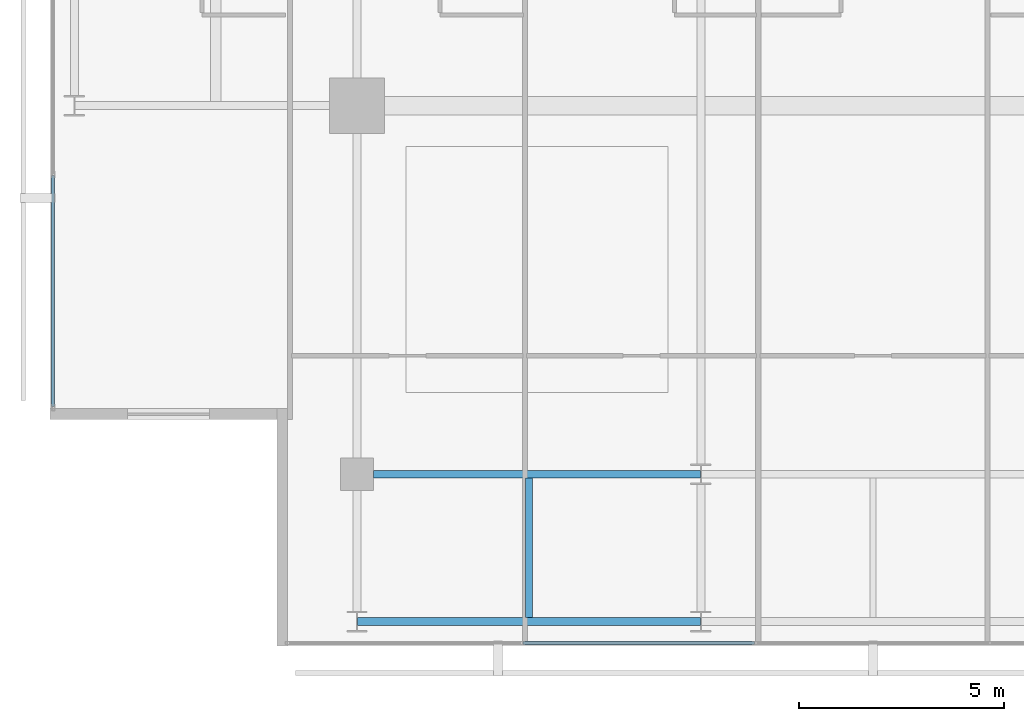
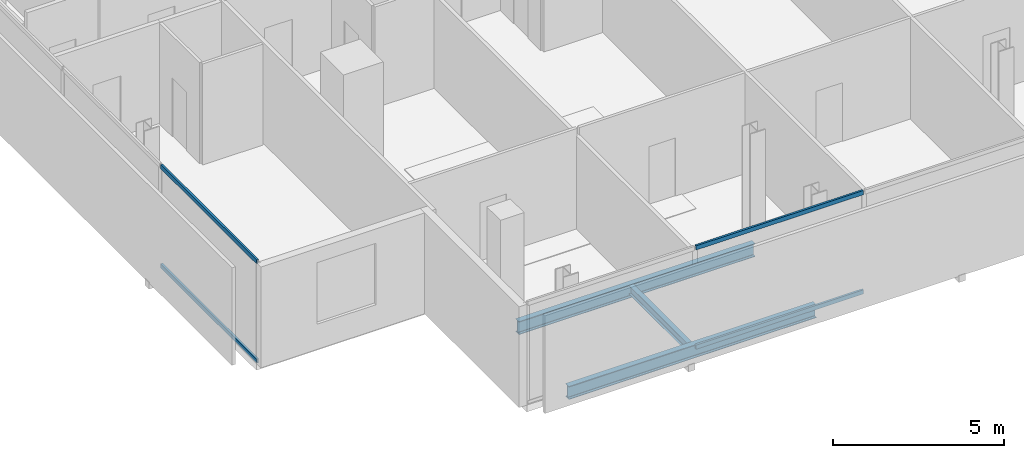
# One storey, part 3 of 24: 4 members, 3 beams, 2 elements without a shape of their own.
"""IFC4 building model written with IfcOpenShell, lengths in metres."""

from ifc_helpers import new_model, si_unit, direction, frame, origin, origin_2d, place, context, subcontext, project, spatial, hollow_rectangle, i_section, extrude, material, layer, layer_set, material_profile, profile_set, type_object, element, aggregate, save


model = new_model("IFC4")

# Units and contexts
model_context = context("Model", 3, precision=1e-05, world=origin(), true_north=direction((0.0, 1.0)))
body_context = subcontext(model_context, "Body", "Model", "MODEL_VIEW")
ifc_project = project(units=[si_unit("LENGTHUNIT", "METRE"), si_unit("AREAUNIT", "SQUARE_METRE"), si_unit("VOLUMEUNIT", "CUBIC_METRE"), si_unit("PLANEANGLEUNIT", "RADIAN"), si_unit("MASSUNIT", "GRAM", prefix="KILO")], contexts=[model_context])

# Site, building, storey
site_placement = place(None, origin())
site = spatial("IfcSite", under=ifc_project, at=site_placement, CompositionType="ELEMENT")
building_placement = place(site_placement, origin())
building = spatial("IfcBuilding", under=site, at=building_placement, Name="Maruvema Waterfront Hotel and Observation Tower", CompositionType="ELEMENT")
storey_placement = place(building_placement, frame((0.0, 0.0, 333.550048828125)))
storey = spatial("IfcBuildingStorey", under=building, at=storey_placement, Name="L82", CompositionType="ELEMENT", Elevation=333.550048828125)

# Curtain wall, members
ifc_material_1 = material(Name="Anodised bronze aluminium and solar-control low-E IGU", Category="aluminium")
ifc_layer = layer(ifc_material_1, 0.159912109375, Name="Zone 4 Sky Residence Inner Curtain Wall System CW-05")
ifc_layer_set = layer_set([ifc_layer], Name="Anodised bronze aluminium and solar-control low-E IGU")
curtain_wall_type = type_object("IfcCurtainWallType", Name="Zone 4 Sky Residence Inner Curtain Wall System CW-05", PredefinedType="USERDEFINED", material=ifc_layer_set)
curtain_wall_1_placement = place(storey_placement, origin())
curtain_wall_1 = element("IfcCurtainWall", 1, at=curtain_wall_1_placement, inside=storey, type_object=curtain_wall_type, Name="L82 Curtain Wall CW-L82-S", ObjectType="UNITISED CURTAIN WALL", PredefinedType="USERDEFINED")
ifc_material_2 = material(Name="Anodised architectural bronze aluminium", Category="aluminium")
ifc_material_profile_1 = material_profile(ifc_material_2, hollow_rectangle(XDim=0.070068359375, YDim=0.14990234375, WallThickness=0.00390625, at=origin_2d()), Name="ALU-T70x150")
ifc_profile_set_1 = profile_set([ifc_material_profile_1], Name="Anodised architectural bronze aluminium")
member_type = type_object("IfcMemberType", Name="Curtain Wall Horizontal Transom ALU-T70x150", PredefinedType="USERDEFINED", material=ifc_profile_set_1)
member_1_placement = place(storey_placement, frame((29.25, 13.8798828125, 0.030029296875), z_axis=(1.0, 0.0, 0.0), x_axis=(0.0, 1.0, 0.0)))
member_1 = element("IfcMember", 2, at=member_1_placement, type_object=member_type, Name="CW-05 transom 2.1", ObjectType="TRANSOM", PredefinedType="USERDEFINED", context=body_context, shape_type="SweptSolid", body=[
    extrude(hollow_rectangle(XDim=0.070068359375, YDim=0.14990234375, WallThickness=0.00390625, at=origin_2d()), origin(), (0.0, 0.0, 1.0), 5.659912109375),
])
member_2_placement = place(storey_placement, frame((29.25, 13.8798828125, 3.579833984375), z_axis=(1.0, 0.0, 0.0), x_axis=(0.0, 1.0, 0.0)))
member_2 = element("IfcMember", 3, at=member_2_placement, type_object=member_type, Name="CW-05 transom 2.2", ObjectType="TRANSOM", PredefinedType="USERDEFINED", context=body_context, shape_type="SweptSolid", body=[
    extrude(hollow_rectangle(XDim=0.070068359375, YDim=0.14990234375, WallThickness=0.00390625, at=origin_2d()), origin(), (0.0, 0.0, 1.0), 5.659912109375),
])
aggregate(curtain_wall_1, [member_1, member_2])

curtain_wall_2_placement = place(storey_placement, origin())
curtain_wall_2 = element("IfcCurtainWall", 4, at=curtain_wall_2_placement, inside=storey, type_object=curtain_wall_type, Name="L82 Curtain Wall CW-L82-W", ObjectType="UNITISED CURTAIN WALL", PredefinedType="USERDEFINED")
member_3_placement = place(storey_placement, frame((17.780029296875, 25.2900390625, 0.030029296875), z_axis=(0.0, -1.0, 0.0), x_axis=(1.0, 0.0, 0.0)))
member_3 = element("IfcMember", 5, at=member_3_placement, type_object=member_type, Name="CW-05 transom 5.1", ObjectType="TRANSOM", PredefinedType="USERDEFINED", context=body_context, shape_type="SweptSolid", body=[
    extrude(hollow_rectangle(XDim=0.070068359375, YDim=0.14990234375, WallThickness=0.00390625, at=origin_2d()), origin(), (0.0, 0.0, 1.0), 5.630126953125),
])
member_4_placement = place(storey_placement, frame((17.780029296875, 25.2900390625, 3.579833984375), z_axis=(0.0, -1.0, 0.0), x_axis=(1.0, 0.0, 0.0)))
member_4 = element("IfcMember", 6, at=member_4_placement, type_object=member_type, Name="CW-05 transom 5.2", ObjectType="TRANSOM", PredefinedType="USERDEFINED", context=body_context, shape_type="SweptSolid", body=[
    extrude(hollow_rectangle(XDim=0.070068359375, YDim=0.14990234375, WallThickness=0.00390625, at=origin_2d()), origin(), (0.0, 0.0, 1.0), 5.630126953125),
])
aggregate(curtain_wall_2, [member_3, member_4])

# Beams
ifc_material_3 = material(Name="Steel ASTM A572 Grade 50", Category="steel")
ifc_material_profile_2 = material_profile(ifc_material_3, i_section(OverallWidth=0.194091796875, OverallDepth=0.468994140625, WebThickness=0.0126953125, FlangeThickness=0.0205078125, FilletRadius=0.014892578125, at=origin_2d()), Name="W460x106.0")
ifc_profile_set_2 = profile_set([ifc_material_profile_2], Name="Steel ASTM A572 Grade 50")
beam_type_1 = type_object("IfcBeamType", Name="Primary Floor Girder W460x106.0", PredefinedType="BEAM", material=ifc_profile_set_2)
beam_1_placement = place(storey_placement, frame((25.2109375, 14.39990234375, -0.474609375), z_axis=(1.0, 0.0, 0.0), x_axis=(0.0, 1.0, 0.0)))
element("IfcBeam", 7, at=beam_1_placement, inside=storey, type_object=beam_type_1, Name="L82 Floor Girder EW-01", PredefinedType="BEAM", context=body_context, shape_type="SweptSolid", body=[
    extrude(i_section(OverallWidth=0.194091796875, OverallDepth=0.468994140625, WebThickness=0.0126953125, FlangeThickness=0.0205078125, FilletRadius=0.014892578125, at=origin_2d()), origin(), (0.0, 0.0, 1.0), 8.378173828125),
])
beam_2_placement = place(storey_placement, frame((25.60009765625, 18.0, -0.474609375), z_axis=(1.0, 0.0, 0.0), x_axis=(0.0, 1.0, 0.0)))
element("IfcBeam", 8, at=beam_2_placement, inside=storey, type_object=beam_type_1, Name="L82 Floor Girder EW-04", PredefinedType="BEAM", context=body_context, shape_type="SweptSolid", body=[
    extrude(i_section(OverallWidth=0.194091796875, OverallDepth=0.468994140625, WebThickness=0.0126953125, FlangeThickness=0.0205078125, FilletRadius=0.014892578125, at=origin_2d()), origin(), (0.0, 0.0, 1.0), 7.989013671875),
])
ifc_material_4 = material(Name="Steel ASTM A572 Grade 50", Category="steel")
ifc_material_profile_3 = material_profile(ifc_material_4, i_section(OverallWidth=0.1650390625, OverallDepth=0.31005859375, WebThickness=0.005859375, FlangeThickness=0.009765625, FilletRadius=0.012939453125, at=origin_2d()), Name="W310x38.7")
ifc_profile_set_3 = profile_set([ifc_material_profile_3], Name="Steel ASTM A572 Grade 50")
beam_type_2 = type_object("IfcBeamType", Name="Secondary Floor Joist W310x38.7", PredefinedType="JOIST", material=ifc_profile_set_3)
beam_3_placement = place(storey_placement, frame((29.39990234375, 14.4970703125, -0.39501953125), z_axis=(0.0, 1.0, 0.0), x_axis=(-1.0, 0.0, 0.0)))
element("IfcBeam", 9, at=beam_3_placement, inside=storey, type_object=beam_type_2, Name="L82 Secondary Floor Joist JS-03", PredefinedType="JOIST", context=body_context, shape_type="SweptSolid", body=[
    extrude(i_section(OverallWidth=0.1650390625, OverallDepth=0.31005859375, WebThickness=0.005859375, FlangeThickness=0.009765625, FilletRadius=0.012939453125, at=origin_2d()), origin(), (0.0, 0.0, 1.0), 3.406005859375),
])

save(model, "model.ifc")
